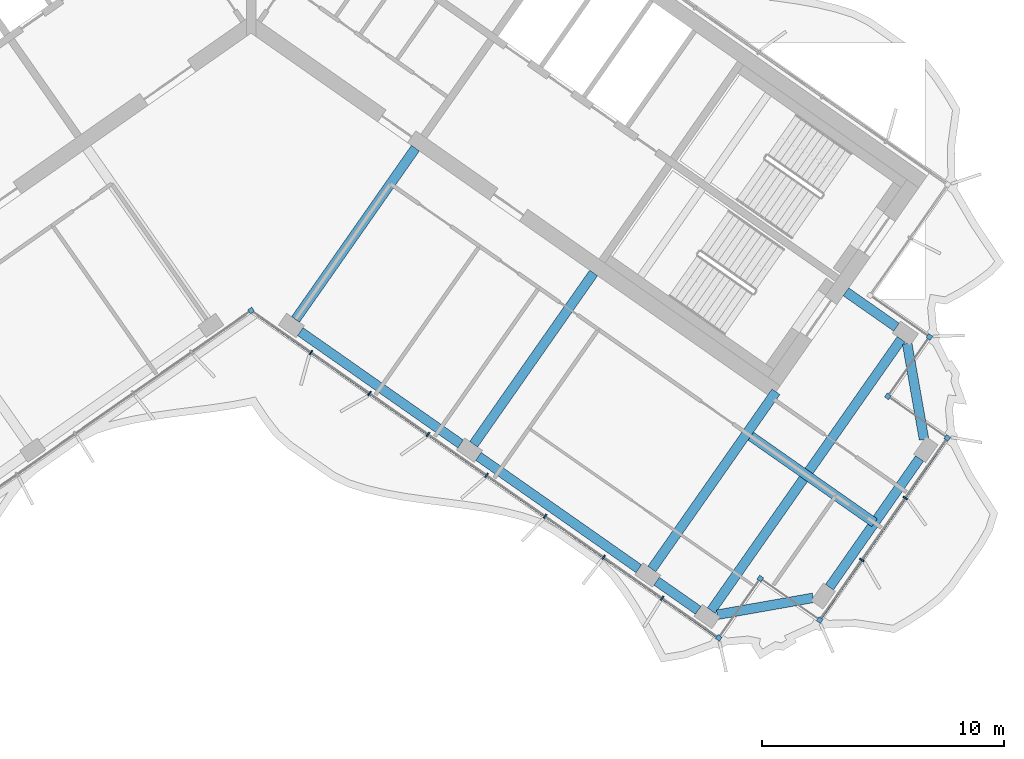
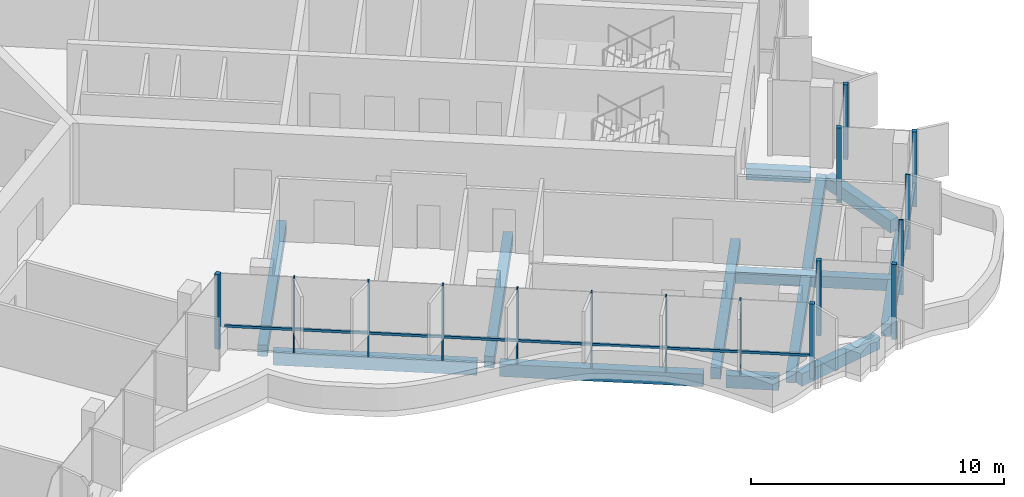
# One storey, part 4 of 17: 18 members, 12 beams, 1 element without a shape of its own.
"""IFC4 building model written with IfcOpenShell, lengths in metres."""

from ifc_helpers import new_model, si_unit, direction, frame, origin, origin_2d, place, context, subcontext, project, spatial, rectangle, extrude, material, material_profile, profile_set, type_object, element, aggregate, save


model = new_model("IFC4")

# Units and contexts
model_context = context("Model", 3, precision=1e-05, world=origin(), true_north=direction((0.0, 1.0)))
body_context = subcontext(model_context, "Body", "Model", "MODEL_VIEW")
ifc_project = project(units=[si_unit("LENGTHUNIT", "METRE"), si_unit("AREAUNIT", "SQUARE_METRE"), si_unit("VOLUMEUNIT", "CUBIC_METRE"), si_unit("PLANEANGLEUNIT", "RADIAN"), si_unit("MASSUNIT", "GRAM", prefix="KILO")], contexts=[model_context])

# Site, building, storey
site_placement = place(None, origin())
site = spatial("IfcSite", under=ifc_project, at=site_placement, CompositionType="ELEMENT")
building_placement = place(site_placement, origin())
building = spatial("IfcBuilding", under=site, at=building_placement, Name="Tel Ilan Convention Tower", CompositionType="ELEMENT")
storey_placement = place(building_placement, frame((0.0, 0.0, 280.0)))
storey = spatial("IfcBuildingStorey", under=building, at=storey_placement, Name="L66", CompositionType="ELEMENT", Elevation=280.0)

# Beams
ifc_material_1 = material(Name="Concrete C40/50", Category="concrete")
ifc_material_profile_1 = material_profile(ifc_material_1, rectangle(XDim=0.39990234375, YDim=0.550048828125, at=origin_2d()), Name="RC 400x550")
ifc_profile_set_1 = profile_set([ifc_material_profile_1], Name="Concrete C40/50")
beam_type_1 = type_object("IfcBeamType", Name="Beam RC 400x550 Concrete C40/50", PredefinedType="BEAM", material=ifc_profile_set_1)
beam_1_placement = place(storey_placement, frame((26.700927734375, -13.385986328125, -0.554931640625), z_axis=(-0.819119449707, 0.573622983424, 0.0), x_axis=(-0.573622983424, -0.819119449707, 0.0)))
element("IfcBeam", 1, at=beam_1_placement, inside=storey, type_object=beam_type_1, Name="L66 beam E-E-BC-core", PredefinedType="BEAM", context=body_context, shape_type="SweptSolid", body=[
    extrude(rectangle(XDim=0.39990234375, YDim=0.550048828125, at=origin_2d()), origin(), (0.0, 0.0, 1.0), 2.5498046875),
])
for number, where, z_axis, x_axis, name in (
    (2, (1.83740234375, -13.06689453125, -0.554931640625), (0.573574099654, 0.819153680457, 0.0), (-0.819153680457, 0.573574099654, 0.0), "L66 beam E-E-F1-core"),
    (3, (9.209716796875, -18.229248046875, -0.554931640625), (0.573574099654, 0.819153680457, 0.0), (-0.819153680457, 0.573574099654, 0.0), "L66 beam E-E-F2-core"),
):
    element("IfcBeam", number, at=place(storey_placement, frame(where, z_axis=z_axis, x_axis=x_axis)), inside=storey, type_object=beam_type_1, Name=name, PredefinedType="BEAM", context=body_context, shape_type="SweptSolid", body=[
        extrude(rectangle(XDim=0.39990234375, YDim=0.550048828125, at=origin_2d()), origin(), (0.0, 0.0, 1.0), 8.64990234375),
    ])
beam_2_placement = place(storey_placement, frame((16.58203125, -23.391357421875, -0.554931640625), z_axis=(0.573584999642, 0.819146048141, 0.0), x_axis=(-0.819146048141, 0.573584999642, 0.0)))
element("IfcBeam", 4, at=beam_2_placement, inside=storey, type_object=beam_type_1, Name="L66 beam E-E-F3-core", PredefinedType="BEAM", context=body_context, shape_type="SweptSolid", body=[
    extrude(rectangle(XDim=0.39990234375, YDim=0.550048828125, at=origin_2d()), origin(), (0.0, 0.0, 1.0), 8.949951171875),
])
beam_3_placement = place(storey_placement, frame((20.6748046875, -17.89501953125, -0.554931640625), z_axis=(0.819171356584, -0.573548854548, 0.0), x_axis=(0.573548854548, 0.819171356584, 0.0)))
element("IfcBeam", 5, at=beam_3_placement, inside=storey, type_object=beam_type_1, Name="L66 beam E-core-end", PredefinedType="BEAM", context=body_context, shape_type="SweptSolid", body=[
    extrude(rectangle(XDim=0.39990234375, YDim=0.550048828125, at=origin_2d()), origin(), (0.0, 0.0, 1.0), 6.25),
])
beam_4_placement = place(storey_placement, frame((19.03955078125, -25.112060546875, -0.554931640625), z_axis=(0.57357117602, 0.819155727587, 0.0), x_axis=(-0.819155727587, 0.57357117602, 0.0)))
element("IfcBeam", 6, at=beam_4_placement, inside=storey, type_object=beam_type_1, Name="L66 beam E-E-FC-E-BC", PredefinedType="BEAM", context=body_context, shape_type="SweptSolid", body=[
    extrude(rectangle(XDim=0.39990234375, YDim=0.550048828125, at=origin_2d()), origin(), (0.0, 0.0, 1.0), 13.699951171875),
])
ifc_material_2 = material(Name="Concrete C40/50", Category="concrete")
ifc_material_profile_2 = material_profile(ifc_material_2, rectangle(XDim=0.39990234375, YDim=0.60009765625, at=origin_2d()), Name="RC 400x600")
ifc_profile_set_2 = profile_set([ifc_material_profile_2], Name="Concrete C40/50")
beam_type_2 = type_object("IfcBeamType", Name="Beam RC 400x600 Concrete C40/50", PredefinedType="BEAM", material=ifc_profile_set_2)
beam_5_placement = place(storey_placement, frame((2.033935546875, -13.57080078125, -0.580078125), z_axis=(0.81914553362, -0.573585734437, 0.0), x_axis=(0.573585734437, 0.81914553362, 0.0)))
element("IfcBeam", 7, at=beam_5_placement, inside=storey, type_object=beam_type_2, Name="L66 beam E-E-F1-E-F2", PredefinedType="BEAM", context=body_context, shape_type="SweptSolid", body=[
    extrude(rectangle(XDim=0.39990234375, YDim=0.60009765625, at=origin_2d()), origin(), (0.0, 0.0, 1.0), 8.099853515625),
])
beam_6_placement = place(storey_placement, frame((9.40625, -18.73291015625, -0.580078125), z_axis=(0.819155449703, -0.573571572885, 0.0), x_axis=(0.573571572885, 0.819155449703, 0.0)))
element("IfcBeam", 8, at=beam_6_placement, inside=storey, type_object=beam_type_2, Name="L66 beam E-E-F2-E-F3", PredefinedType="BEAM", context=body_context, shape_type="SweptSolid", body=[
    extrude(rectangle(XDim=0.39990234375, YDim=0.60009765625, at=origin_2d()), origin(), (0.0, 0.0, 1.0), 8.10009765625),
])
beam_7_placement = place(storey_placement, frame((16.778564453125, -23.895263671875, -0.580078125), z_axis=(0.819188222026, -0.573524765719, 0.0), x_axis=(0.573524765719, 0.819188222026, 0.0)))
element("IfcBeam", 9, at=beam_7_placement, inside=storey, type_object=beam_type_2, Name="L66 beam E-E-F3-E-FC", PredefinedType="BEAM", context=body_context, shape_type="SweptSolid", body=[
    extrude(rectangle(XDim=0.39990234375, YDim=0.60009765625, at=origin_2d()), origin(), (0.0, 0.0, 1.0), 2.099853515625),
])
beam_8_placement = place(storey_placement, frame((19.285400390625, -25.2841796875, -0.580078125), z_axis=(0.984804894423, 0.173664388751, 0.0), x_axis=(-0.173664388751, 0.984804894423, 0.0)))
element("IfcBeam", 10, at=beam_8_placement, inside=storey, type_object=beam_type_2, Name="L66 beam E-E-FC-E-E1", PredefinedType="BEAM", context=body_context, shape_type="SweptSolid", body=[
    extrude(rectangle(XDim=0.39990234375, YDim=0.60009765625, at=origin_2d()), origin(), (0.0, 0.0, 1.0), 4.030517578125),
])
beam_9_placement = place(storey_placement, frame((23.930419921875, -24.14208984375, -0.580078125), z_axis=(0.573563169494, 0.819161333682, 0.0), x_axis=(-0.819161333682, 0.573563169494, 0.0)))
element("IfcBeam", 11, at=beam_9_placement, inside=storey, type_object=beam_type_2, Name="L66 beam E-E-E1-E-E2", PredefinedType="BEAM", context=body_context, shape_type="SweptSolid", body=[
    extrude(rectangle(XDim=0.39990234375, YDim=0.60009765625, at=origin_2d()), origin(), (0.0, 0.0, 1.0), 6.500244140625),
])
beam_10_placement = place(storey_placement, frame((27.84326171875, -18.031005859375, -0.580078125), z_axis=(-0.173664388751, 0.984804894423, 0.0), x_axis=(-0.984804894423, -0.173664388751, 0.0)))
element("IfcBeam", 12, at=beam_10_placement, inside=storey, type_object=beam_type_2, Name="L66 beam E-E-E2-E-BC", PredefinedType="BEAM", context=body_context, shape_type="SweptSolid", body=[
    extrude(rectangle(XDim=0.39990234375, YDim=0.60009765625, at=origin_2d()), origin(), (0.0, 0.0, 1.0), 4.030517578125),
])

# Curtain wall, members
ifc_material_3 = material(Name="Aluminium, bronze anodised", Category="aluminium")
curtain_wall_type = type_object("IfcCurtainWallType", Name="CW5 STICK CURTAIN WALL, UPPER OFFICE LOW-IRON TINTED GLASS", PredefinedType="NOTDEFINED", material=ifc_material_3)
curtain_wall_placement = place(storey_placement, origin())
curtain_wall = element("IfcCurtainWall", 13, at=curtain_wall_placement, inside=storey, type_object=curtain_wall_type, Name="Curtain wall CW5-50.02", PredefinedType="NOTDEFINED")
ifc_material_4 = material(Name="Aluminium, bronze anodised", Category="aluminium")
ifc_material_profile_3 = material_profile(ifc_material_4, rectangle(XDim=0.199951171875, YDim=0.199951171875, at=origin_2d()), Name="CW CORNER MULLION 200x200")
ifc_profile_set_3 = profile_set([ifc_material_profile_3], Name="Aluminium, bronze anodised")
member_type_1 = type_object("IfcMemberType", Name="CW CORNER MULLION 200x200", PredefinedType="MULLION", material=ifc_profile_set_3)
member_1_placement = place(storey_placement, frame((0.0, -12.696044921875, 0.0), z_axis=(0.0, 0.0, 1.0), x_axis=(0.819152044289, 0.573576436351, 0.0)))
member_1 = element("IfcMember", 14, at=member_1_placement, type_object=member_type_1, Name="Corner mullion", PredefinedType="MULLION", context=body_context, shape_type="SweptSolid", body=[
    extrude(rectangle(XDim=0.199951171875, YDim=0.199951171875, at=origin_2d()), origin(), (0.0, 0.0, 1.0), 3.6201171875),
])
member_2_placement = place(storey_placement, frame((19.3466796875, -26.24267578125, 0.0), z_axis=(0.0, 0.0, 1.0), x_axis=(0.819152044289, -0.573576436351, 0.0)))
member_2 = element("IfcMember", 15, at=member_2_placement, type_object=member_type_1, Name="Corner mullion", PredefinedType="MULLION", context=body_context, shape_type="SweptSolid", body=[
    extrude(rectangle(XDim=0.199951171875, YDim=0.199951171875, at=origin_2d()), origin(), (0.0, 0.0, 1.0), 3.6201171875),
])
member_3_placement = place(storey_placement, frame((21.0673828125, -23.78515625, 0.0), z_axis=(0.0, 0.0, 1.0), x_axis=(0.573576436351, 0.819152044289, 0.0)))
member_3 = element("IfcMember", 16, at=member_3_placement, type_object=member_type_1, Name="Corner mullion", PredefinedType="MULLION", context=body_context, shape_type="SweptSolid", body=[
    extrude(rectangle(XDim=0.199951171875, YDim=0.199951171875, at=origin_2d()), origin(), (0.0, 0.0, 1.0), 3.6201171875),
])
member_4_placement = place(storey_placement, frame((23.52490234375, -25.505859375, 0.0), z_axis=(0.0, 0.0, 1.0), x_axis=(0.819152044289, -0.573576436351, 0.0)))
member_4 = element("IfcMember", 17, at=member_4_placement, type_object=member_type_1, Name="Corner mullion", PredefinedType="MULLION", context=body_context, shape_type="SweptSolid", body=[
    extrude(rectangle(XDim=0.199951171875, YDim=0.199951171875, at=origin_2d()), origin(), (0.0, 0.0, 1.0), 3.6201171875),
])
member_5_placement = place(storey_placement, frame((28.8017578125, -17.9697265625, 0.0), z_axis=(0.0, 0.0, 1.0), x_axis=(0.573576436351, 0.819152044289, 0.0)))
member_5 = element("IfcMember", 18, at=member_5_placement, type_object=member_type_1, Name="Corner mullion", PredefinedType="MULLION", context=body_context, shape_type="SweptSolid", body=[
    extrude(rectangle(XDim=0.199951171875, YDim=0.199951171875, at=origin_2d()), origin(), (0.0, 0.0, 1.0), 3.6201171875),
])
member_6_placement = place(storey_placement, frame((26.34423828125, -16.2490234375, 0.0), z_axis=(0.0, 0.0, 1.0), x_axis=(-0.819152044289, 0.573576436351, 0.0)))
member_6 = element("IfcMember", 19, at=member_6_placement, type_object=member_type_1, Name="Corner mullion", PredefinedType="MULLION", context=body_context, shape_type="SweptSolid", body=[
    extrude(rectangle(XDim=0.199951171875, YDim=0.199951171875, at=origin_2d()), origin(), (0.0, 0.0, 1.0), 3.6201171875),
])
member_7_placement = place(storey_placement, frame((28.06494140625, -13.79150390625, 0.0), z_axis=(0.0, 0.0, 1.0), x_axis=(0.573576436351, 0.819152044289, 0.0)))
member_7 = element("IfcMember", 20, at=member_7_placement, type_object=member_type_1, Name="Corner mullion", PredefinedType="MULLION", context=body_context, shape_type="SweptSolid", body=[
    extrude(rectangle(XDim=0.199951171875, YDim=0.199951171875, at=origin_2d()), origin(), (0.0, 0.0, 1.0), 3.6201171875),
])
ifc_material_5 = material(Name="Aluminium, bronze anodised", Category="aluminium")
ifc_material_profile_4 = material_profile(ifc_material_5, rectangle(XDim=0.06005859375, YDim=0.199951171875, at=origin_2d()), Name="CW MULLION 60x200")
ifc_profile_set_4 = profile_set([ifc_material_profile_4], Name="Aluminium, bronze anodised")
member_type_2 = type_object("IfcMemberType", Name="CW MULLION 60x200", PredefinedType="MULLION", material=ifc_profile_set_4)
member_8_placement = place(storey_placement, frame((2.478759765625, -14.431640625, 0.0), z_axis=(0.0, 0.0, 1.0), x_axis=(0.819152044289, -0.573576436351, 0.0)))
member_8 = element("IfcMember", 21, at=member_8_placement, type_object=member_type_2, Name="Mullion", PredefinedType="MULLION", context=body_context, shape_type="SweptSolid", body=[
    extrude(rectangle(XDim=0.06005859375, YDim=0.199951171875, at=origin_2d()), origin(), (0.0, 0.0, 1.0), 3.6201171875),
])
member_9_placement = place(storey_placement, frame((4.900146484375, -16.127197265625, 0.0), z_axis=(0.0, 0.0, 1.0), x_axis=(0.819152044289, -0.573576436351, 0.0)))
member_9 = element("IfcMember", 22, at=member_9_placement, type_object=member_type_2, Name="Mullion", PredefinedType="MULLION", context=body_context, shape_type="SweptSolid", body=[
    extrude(rectangle(XDim=0.06005859375, YDim=0.199951171875, at=origin_2d()), origin(), (0.0, 0.0, 1.0), 3.6201171875),
])
member_10_placement = place(storey_placement, frame((7.321533203125, -17.82275390625, 0.0), z_axis=(0.0, 0.0, 1.0), x_axis=(0.819152044289, -0.573576436351, 0.0)))
member_10 = element("IfcMember", 23, at=member_10_placement, type_object=member_type_2, Name="Mullion", PredefinedType="MULLION", context=body_context, shape_type="SweptSolid", body=[
    extrude(rectangle(XDim=0.06005859375, YDim=0.199951171875, at=origin_2d()), origin(), (0.0, 0.0, 1.0), 3.6201171875),
])
member_11_placement = place(storey_placement, frame((9.742919921875, -19.51806640625, 0.0), z_axis=(0.0, 0.0, 1.0), x_axis=(0.819152044289, -0.573576436351, 0.0)))
member_11 = element("IfcMember", 24, at=member_11_placement, type_object=member_type_2, Name="Mullion", PredefinedType="MULLION", context=body_context, shape_type="SweptSolid", body=[
    extrude(rectangle(XDim=0.06005859375, YDim=0.199951171875, at=origin_2d()), origin(), (0.0, 0.0, 1.0), 3.6201171875),
])
member_12_placement = place(storey_placement, frame((12.164306640625, -21.213623046875, 0.0), z_axis=(0.0, 0.0, 1.0), x_axis=(0.819152044289, -0.573576436351, 0.0)))
member_12 = element("IfcMember", 25, at=member_12_placement, type_object=member_type_2, Name="Mullion", PredefinedType="MULLION", context=body_context, shape_type="SweptSolid", body=[
    extrude(rectangle(XDim=0.06005859375, YDim=0.199951171875, at=origin_2d()), origin(), (0.0, 0.0, 1.0), 3.6201171875),
])
member_13_placement = place(storey_placement, frame((14.585693359375, -22.9091796875, 0.0), z_axis=(0.0, 0.0, 1.0), x_axis=(0.819152044289, -0.573576436351, 0.0)))
member_13 = element("IfcMember", 26, at=member_13_placement, type_object=member_type_2, Name="Mullion", PredefinedType="MULLION", context=body_context, shape_type="SweptSolid", body=[
    extrude(rectangle(XDim=0.06005859375, YDim=0.199951171875, at=origin_2d()), origin(), (0.0, 0.0, 1.0), 3.6201171875),
])
member_14_placement = place(storey_placement, frame((17.007080078125, -24.6044921875, 0.0), z_axis=(0.0, 0.0, 1.0), x_axis=(0.819152044289, -0.573576436351, 0.0)))
member_14 = element("IfcMember", 27, at=member_14_placement, type_object=member_type_2, Name="Mullion", PredefinedType="MULLION", context=body_context, shape_type="SweptSolid", body=[
    extrude(rectangle(XDim=0.06005859375, YDim=0.199951171875, at=origin_2d()), origin(), (0.0, 0.0, 1.0), 3.6201171875),
])
member_15_placement = place(storey_placement, frame((25.2646484375, -23.021240234375, 0.0), z_axis=(0.0, 0.0, 1.0), x_axis=(0.573576436351, 0.819152044289, 0.0)))
member_15 = element("IfcMember", 28, at=member_15_placement, type_object=member_type_2, Name="Mullion", PredefinedType="MULLION", context=body_context, shape_type="SweptSolid", body=[
    extrude(rectangle(XDim=0.06005859375, YDim=0.199951171875, at=origin_2d()), origin(), (0.0, 0.0, 1.0), 3.6201171875),
])
member_16_placement = place(storey_placement, frame((27.061767578125, -20.45458984375, 0.0), z_axis=(0.0, 0.0, 1.0), x_axis=(0.573576436351, 0.819152044289, 0.0)))
member_16 = element("IfcMember", 29, at=member_16_placement, type_object=member_type_2, Name="Mullion", PredefinedType="MULLION", context=body_context, shape_type="SweptSolid", body=[
    extrude(rectangle(XDim=0.06005859375, YDim=0.199951171875, at=origin_2d()), origin(), (0.0, 0.0, 1.0), 3.6201171875),
])
ifc_material_6 = material(Name="Aluminium, bronze anodised", Category="aluminium")
ifc_material_profile_5 = material_profile(ifc_material_6, rectangle(XDim=0.10009765625, YDim=0.1201171875, at=origin_2d()), Name="CW TRANSOM 100x120")
ifc_profile_set_5 = profile_set([ifc_material_profile_5], Name="Aluminium, bronze anodised")
member_type_3 = type_object("IfcMemberType", Name="CW TRANSOM 100x120", PredefinedType="USERDEFINED", material=ifc_profile_set_5)
member_17_placement = place(storey_placement, frame((0.22119140625, -12.850830078125, 1.10009765625), z_axis=(0.81915001336, -0.573579336808, 0.0), x_axis=(0.573579336808, 0.81915001336, 0.0)))
member_17 = element("IfcMember", 30, at=member_17_placement, type_object=member_type_3, Name="Transom", ObjectType="TRANSOM", PredefinedType="USERDEFINED", context=body_context, shape_type="SweptSolid", body=[
    extrude(rectangle(XDim=0.10009765625, YDim=0.1201171875, at=origin_2d()), origin(), (0.0, 0.0, 1.0), 23.247802734375),
])
member_18_placement = place(storey_placement, frame((23.58203125, -25.424072265625, 1.10009765625), z_axis=(0.573591598124, 0.819141427692, 0.0), x_axis=(-0.819141427692, 0.573591598124, 0.0)))
member_18 = element("IfcMember", 31, at=member_18_placement, type_object=member_type_3, Name="Transom", ObjectType="TRANSOM", PredefinedType="USERDEFINED", context=body_context, shape_type="SweptSolid", body=[
    extrude(rectangle(XDim=0.10009765625, YDim=0.1201171875, at=origin_2d()), origin(), (0.0, 0.0, 1.0), 9.0),
])
aggregate(curtain_wall, [member_1, member_8, member_9, member_10, member_11, member_12, member_13, member_14, member_2, member_17, member_3, member_4, member_15, member_16, member_5, member_18, member_6, member_7])

save(model, "model.ifc")
